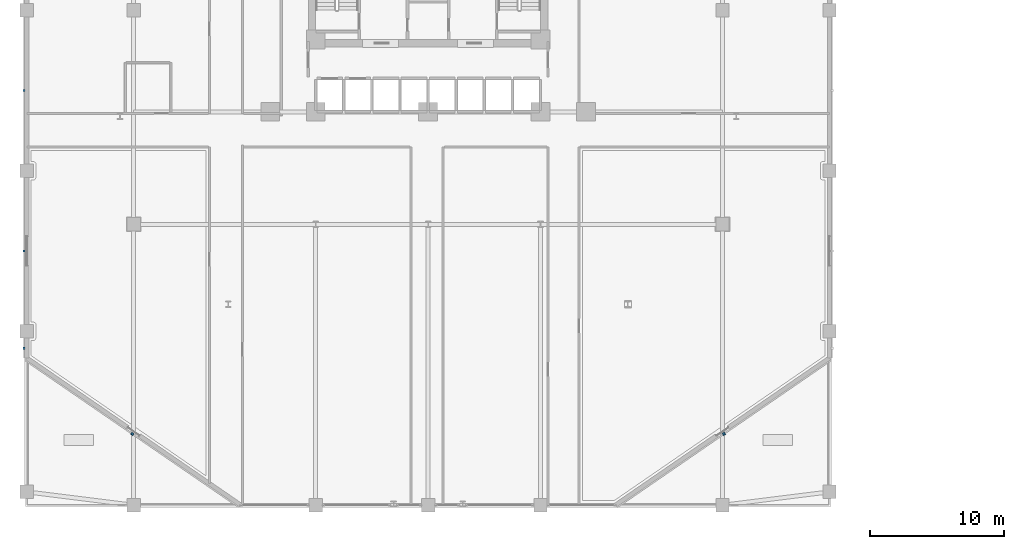
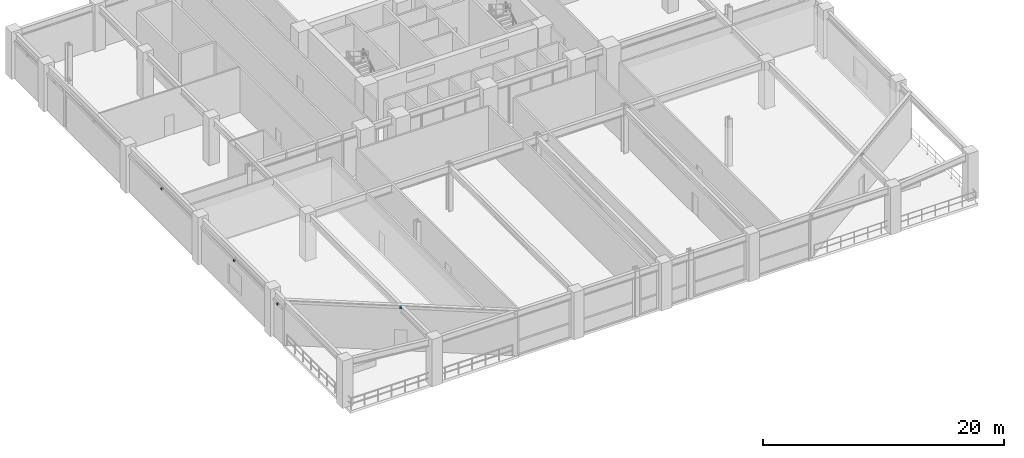
# One storey, part 20 of 26: 5 discrete accessories.
"""IFC4 building model written with IfcOpenShell, lengths in metres."""

from ifc_helpers import new_model, si_unit, derived_unit, direction, frame, origin, origin_2d, place, context, subcontext, project, spatial, rectangle, extrude, source, transform, mapped, material, type_object, element, save


model = new_model("IFC4")

# Units and contexts
model_context = context("Model", 3, precision=1e-05, world=origin(), true_north=direction((0.0, 1.0)))
body_context = subcontext(model_context, "Body", "Model", "MODEL_VIEW")
ifc_project = project(units=[si_unit("LENGTHUNIT", "METRE"), si_unit("AREAUNIT", "SQUARE_METRE"), si_unit("VOLUMEUNIT", "CUBIC_METRE"), si_unit("PLANEANGLEUNIT", "RADIAN"), si_unit("MASSUNIT", "GRAM", prefix="KILO"), derived_unit("THERMALTRANSMITTANCEUNIT", [(si_unit("POWERUNIT", "WATT"), 1), (si_unit("LENGTHUNIT", "METRE"), -2), (si_unit("THERMODYNAMICTEMPERATUREUNIT", "KELVIN"), -1)])], contexts=[model_context])

# Site, building, storey
site_placement = place(None, origin())
site = spatial("IfcSite", under=ifc_project, at=site_placement, CompositionType="ELEMENT")
building_placement = place(site_placement, origin())
building = spatial("IfcBuilding", under=site, at=building_placement, Name="Korsvarv Bourse and Concert Hall", CompositionType="ELEMENT")
storey_placement = place(building_placement, frame((0.0, 0.0, 19.199951171875)))
storey = spatial("IfcBuildingStorey", under=building, at=storey_placement, Name="L04", CompositionType="ELEMENT", Elevation=19.199951171875)

# Discrete accessories
ifc_material = material(Name="Stainless Steel S355 facade outrigger bracket", Category="steel")
discrete_accessory_type = type_object("IfcDiscreteAccessoryType", Name="ACC-BRK-1", PredefinedType="BRACKET", material=ifc_material)
shared_shape = source(origin(), body_context, "Body", "SweptSolid", [
    extrude(rectangle(XDim=0.179931640625, YDim=0.179931640625, at=origin_2d()), origin(), (0.0, 0.0, 1.0), 0.199951171875),
])
for number, where, z_axis, x_axis, name in (
    (1, (13.88671875, 8.335205078125, 4.3203125), (0.0, 0.0, 1.0), (0.824027319533, -0.566550065452, 0.0), "L04 terracotta sunshade bracket EW-L04-G1"),
    (2, (58.11328125, 8.335205078125, 4.3203125), (0.0, 0.0, 1.0), (0.824027319533, 0.566550065452, 0.0), "L04 terracotta sunshade bracket EW-L04-G3"),
    (3, (5.800048828125, 34.0, 3.6201171875), (0.0, 0.0, 1.0), (0.0, -1.0, 0.0), "L04 terracotta sunshade bracket EW-L04-G6-4"),
    (4, (5.800048828125, 22.0, 3.6201171875), (0.0, 0.0, 1.0), (0.0, -1.0, 0.0), "L04 terracotta sunshade bracket EW-L04-G6-5"),
    (5, (5.800048828125, 14.74755859375, 3.6201171875), (0.0, 0.0, 1.0), (0.0, -1.0, 0.0), "L04 terracotta sunshade bracket EW-L04-G6-6"),
):
    element("IfcDiscreteAccessory", number, at=place(storey_placement, frame(where, z_axis=z_axis, x_axis=x_axis)), inside=storey, type_object=discrete_accessory_type, Name=name, PredefinedType="BRACKET", context=body_context, shape_type="MappedRepresentation", body=[
        mapped(shared_shape, transform((0.0, 0.0, 0.0), scale=1.0)),
    ])

save(model, "model.ifc")
